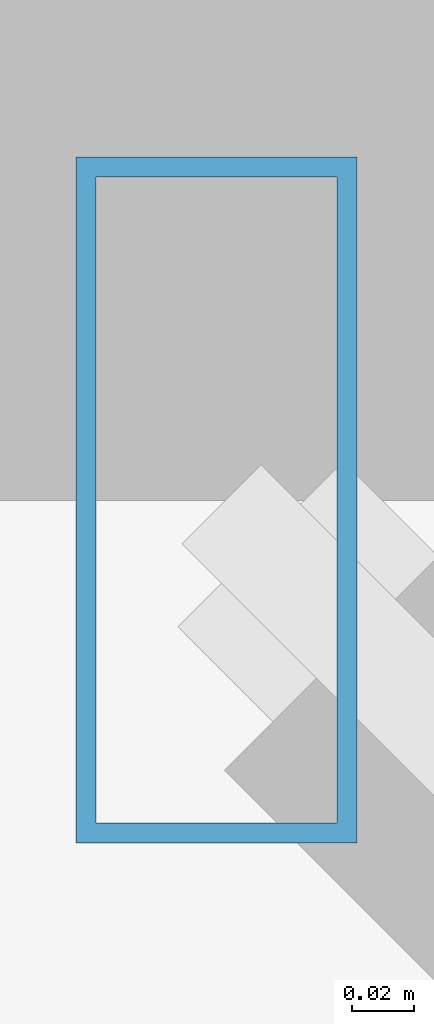
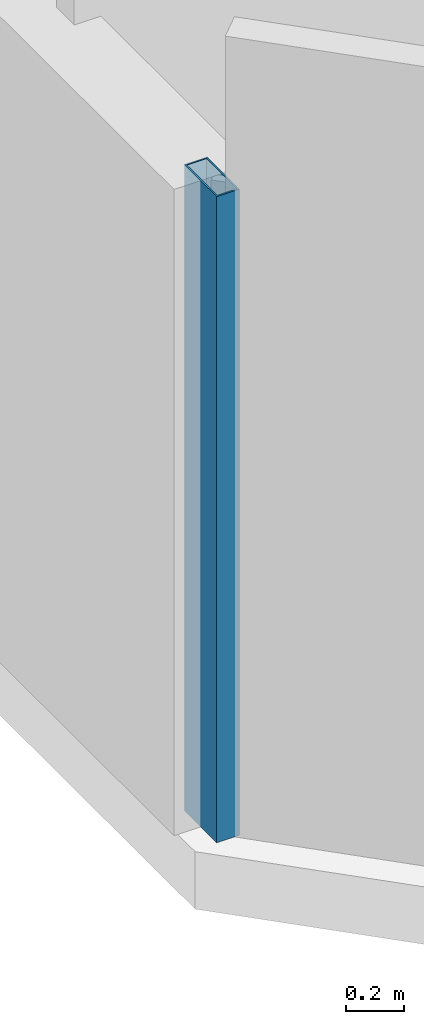
# One storey, part 6 of 34: 1 member, 1 element without a shape of its own.
"""IFC4 building model written with IfcOpenShell, lengths in metres."""

from ifc_helpers import new_model, si_unit, direction, frame, origin, origin_2d, place, context, subcontext, project, spatial, hollow_rectangle, extrude, material, material_profile, profile_set, type_object, element, aggregate, save


model = new_model("IFC4")

# Units and contexts
model_context = context("Model", 3, precision=1e-05, world=origin(), true_north=direction((0.0, 1.0)))
body_context = subcontext(model_context, "Body", "Model", "MODEL_VIEW")
ifc_project = project(units=[si_unit("LENGTHUNIT", "METRE"), si_unit("AREAUNIT", "SQUARE_METRE"), si_unit("VOLUMEUNIT", "CUBIC_METRE"), si_unit("PLANEANGLEUNIT", "RADIAN"), si_unit("MASSUNIT", "GRAM", prefix="KILO")], contexts=[model_context])

# Site, building, storey
site_placement = place(None, origin())
site = spatial("IfcSite", under=ifc_project, at=site_placement, CompositionType="ELEMENT")
building_placement = place(site_placement, origin())
building = spatial("IfcBuilding", under=site, at=building_placement, Name="Thornwick Lancets Civic Towers", CompositionType="ELEMENT")
storey_placement = place(building_placement, frame((0.0, 0.0, 60.89990234375)))
storey = spatial("IfcBuildingStorey", under=building, at=storey_placement, Name="L15", CompositionType="ELEMENT", Elevation=60.89990234375)

# Curtain wall, member
ifc_material_1 = material(Name="Low-zone chamfered-corner unitised glass curtain wall", Category="glass")
curtain_wall_type = type_object("IfcCurtainWallType", Name="CW_SYS_03", PredefinedType="NOTDEFINED", material=ifc_material_1)
curtain_wall_placement = place(storey_placement, origin())
curtain_wall = element("IfcCurtainWall", 1, at=curtain_wall_placement, inside=storey, type_object=curtain_wall_type, Name="L15 Curtain Wall CW-L15-B-E7", PredefinedType="NOTDEFINED")
ifc_material_2 = material(Name="Thermally broken bronze aluminium S355", Category="steel")
ifc_material_profile = material_profile(ifc_material_2, hollow_rectangle(XDim=0.090087890625, YDim=0.219970703125, WallThickness=0.00634765625, at=origin_2d()), Name="RHS 220x90x6.3")
ifc_profile_set = profile_set([ifc_material_profile], Name="Thermally broken bronze aluminium S355")
member_type = type_object("IfcMemberType", Name="CW_MUL_220", PredefinedType="MULLION", material=ifc_profile_set)
member_placement = place(storey_placement, frame((70.235107421875, 11.31884765625, 0.0), z_axis=(0.0, 0.0, 1.0), x_axis=(1.0, 0.0, 0.0)))
member = element("IfcMember", 2, at=member_placement, type_object=member_type, Name="CW-L15-B-E7 Mullion 0", PredefinedType="MULLION", context=body_context, shape_type="SweptSolid", body=[
    extrude(hollow_rectangle(XDim=0.090087890625, YDim=0.219970703125, WallThickness=0.00634765625, at=origin_2d()), origin(), (0.0, 0.0, 1.0), 2.7001953125),
])
aggregate(curtain_wall, [member])

save(model, "model.ifc")
